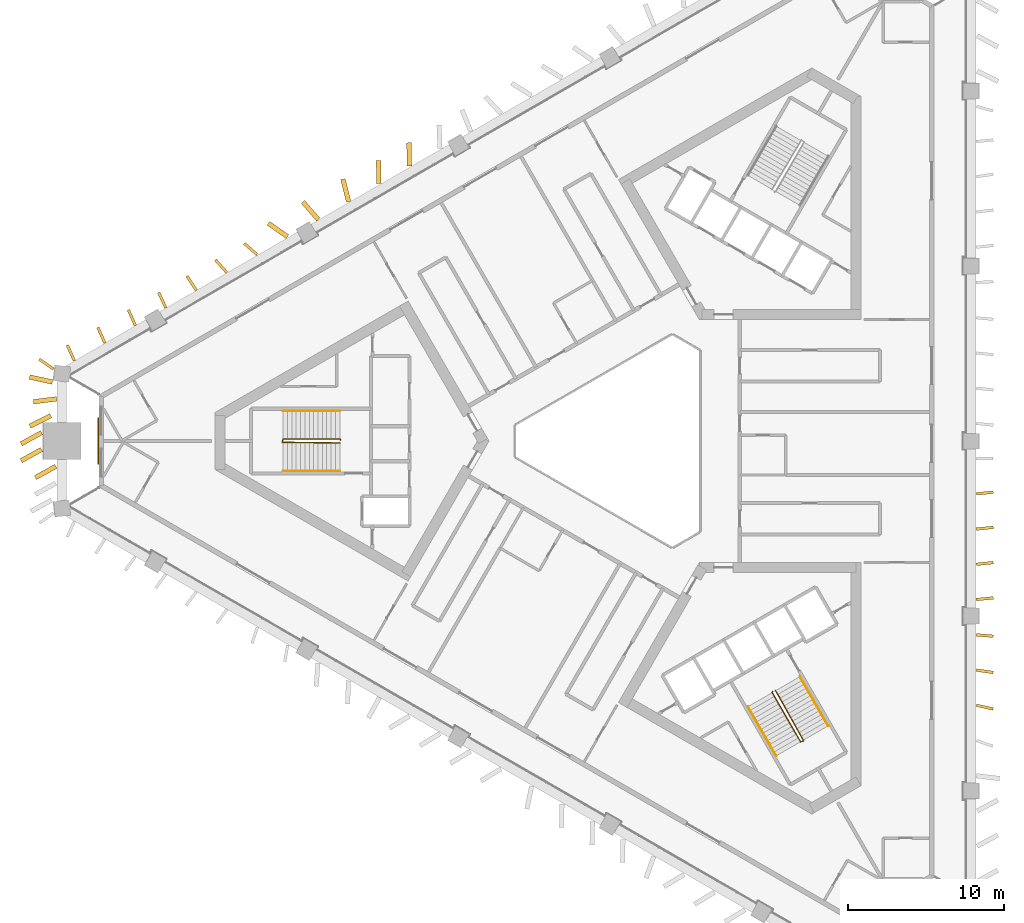
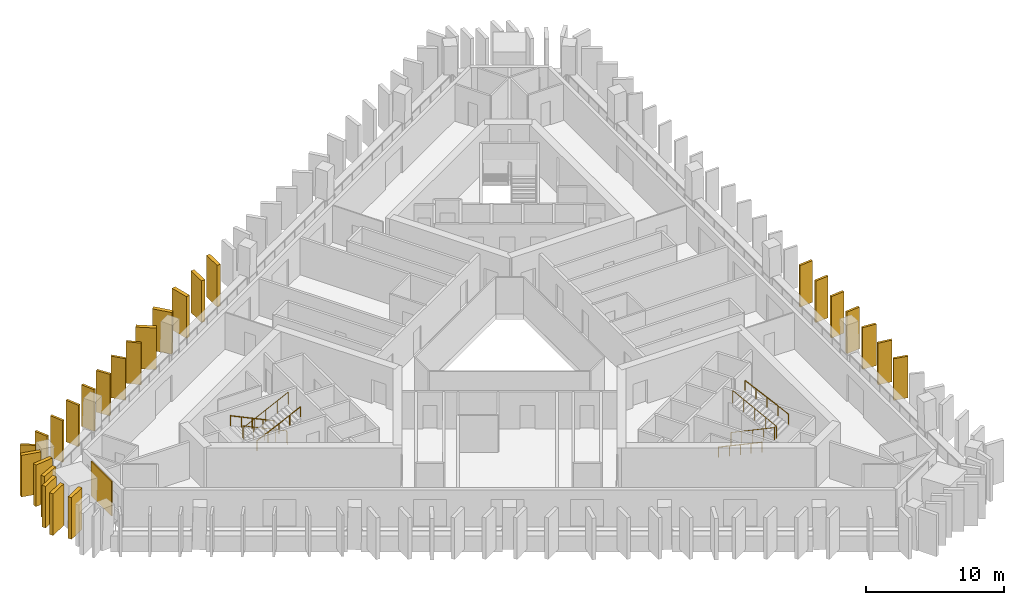
# One storey, part 9 of 11: 26 shading devices, 6 railings, 1 covering.
"""IFC4 building model written with IfcOpenShell, lengths in metres."""

import ifcopenshell
import ifcopenshell.guid

model = None  # the IFC model being written
_history = None  # IfcOwnerHistory: only IFC2X3 demands one
_inside = {}  # id of a spatial element -> (the spatial element, [elements in it])
_under = {}  # id of a project, library or spatial element -> (it, [spatial elements below it])
_declared = {}  # id of a project -> (the project, [libraries it declares])
_typed = {}  # id of a type object -> (the type object, [elements of that type])
_made_of = {}  # id of a material, layer set ... -> (it, [elements and type objects made of it])


def new_model(schema):
    """Start an empty IFC model of exactly this schema.

    Asked for "IFC4X3", IfcOpenShell would pick the latest addendum, in which some entities
    have other attributes; the version numbers below select the first issue.
    IFC2X3 requires an IfcOwnerHistory on every rooted entity: one is made here for all.
    """
    global model, _history
    if schema == "IFC4X3":
        model = ifcopenshell.file(schema_version=(4, 3, 0, 0))
    else:
        model = ifcopenshell.file(schema=schema)
    _inside.clear()
    _under.clear()
    _declared.clear()
    _typed.clear()
    _made_of.clear()
    _history = None
    if model.schema == "IFC2X3":
        org = make("IfcOrganization", Name="unknown")
        user = make(
            "IfcPersonAndOrganization",
            ThePerson=make("IfcPerson", FamilyName="unknown"),
            TheOrganization=org,
        )
        app = make(
            "IfcApplication",
            ApplicationDeveloper=org,
            Version="unknown",
            ApplicationFullName="unknown",
            ApplicationIdentifier="unknown",
        )
        _history = make(
            "IfcOwnerHistory",
            OwningUser=user,
            OwningApplication=app,
            ChangeAction="ADDED",
            CreationDate=0,
        )
    return model


def make(cls, **values):
    """One entity of the class cls with the attributes given. An attribute that is None is left unset."""
    return model.create_entity(
        cls, **{name: value for name, value in values.items() if value is not None}
    )


def rooted(cls, **values):
    """An entity with a GlobalId (a new one), such as an element, a storey or a relation."""
    return make(cls, GlobalId=ifcopenshell.guid.new(), OwnerHistory=_history, **values)


def si_unit(unit_type, name, prefix=None):
    """IfcSIUnit, for example si_unit("LENGTHUNIT", "METRE", prefix="MILLI")."""
    return make("IfcSIUnit", UnitType=unit_type, Prefix=prefix, Name=name)


def assignment(units):
    """IfcUnitAssignment: the units of a project."""
    return None if units is None else make("IfcUnitAssignment", Units=units)


def point(xyz):
    """IfcCartesianPoint."""
    return None if xyz is None else make("IfcCartesianPoint", Coordinates=xyz)


def direction(xyz):
    """IfcDirection."""
    return None if xyz is None else make("IfcDirection", DirectionRatios=xyz)


def frame(location, z_axis=None, x_axis=None):
    """IfcAxis2Placement3D, a coordinate frame: its origin and axes. An axis left out is left unset."""
    return make(
        "IfcAxis2Placement3D",
        Location=point(location),
        Axis=direction(z_axis),
        RefDirection=direction(x_axis),
    )


def frame_2d(location, x_axis=None):
    """IfcAxis2Placement2D, a coordinate frame in the plane: its origin and x axis."""
    return make(
        "IfcAxis2Placement2D", Location=point(location), RefDirection=direction(x_axis)
    )


def origin():
    """The frame at (0, 0, 0) with its axes left unset."""
    return frame((0.0, 0.0, 0.0))


def origin_2d():
    """The frame at (0, 0) in the plane with its x axis left unset."""
    return frame_2d((0.0, 0.0))


def place(relative_to, where):
    """IfcLocalPlacement: puts the frame where relative to a parent placement (None: the world)."""
    return make(
        "IfcLocalPlacement", PlacementRelTo=relative_to, RelativePlacement=where
    )


def context(
    kind, dimensions, precision=None, world=None, true_north=None, identifier=None
):
    """IfcGeometricRepresentationContext, for example the 3D "Model" context."""
    return make(
        "IfcGeometricRepresentationContext",
        ContextIdentifier=identifier,
        ContextType=kind,
        CoordinateSpaceDimension=dimensions,
        Precision=precision,
        WorldCoordinateSystem=world,
        TrueNorth=true_north,
    )


def subcontext(parent, identifier, kind, view, scale=None):
    """IfcGeometricRepresentationSubContext, for example "Body" below "Model"."""
    return make(
        "IfcGeometricRepresentationSubContext",
        ContextIdentifier=identifier,
        ContextType=kind,
        ParentContext=parent,
        TargetScale=scale,
        TargetView=view,
    )


def project(units=None, contexts=None):
    """IfcProject with its units and contexts."""
    return rooted(
        "IfcProject",
        Name="project",
        RepresentationContexts=contexts,
        UnitsInContext=assignment(units),
    )


def spatial(cls, under=None, at=None, **own):
    """A site, building, storey or space (cls), placed at a placement, below another one or the project."""
    s = rooted(cls, ObjectPlacement=at, **own)
    if under is not None:
        _under.setdefault(under.id(), (under, []))[1].append(s)
    return s


def profile(cls, at=None, kind="AREA", **sizes):
    """A parametric profile (cls). Its sizes go by their IFC names, for example OverallWidth=200.0."""
    return make(cls, ProfileType=kind, Position=at, **sizes)


def rectangle(**sizes):
    """IfcRectangleProfileDef."""
    return profile("IfcRectangleProfileDef", **sizes)


def circle(**sizes):
    """IfcCircleProfileDef."""
    return profile("IfcCircleProfileDef", **sizes)


def extrude(swept, where, along, depth):
    """IfcExtrudedAreaSolid: the profile swept, set in the frame where, extruded along a direction by depth."""
    return make(
        "IfcExtrudedAreaSolid",
        SweptArea=swept,
        Position=where,
        ExtrudedDirection=direction(along),
        Depth=depth,
    )


def shape(context_of_items, identifier, shape_type, items):
    """IfcShapeRepresentation: the items that make up one representation, for example the "Body"."""
    return make(
        "IfcShapeRepresentation",
        ContextOfItems=context_of_items,
        RepresentationIdentifier=identifier,
        RepresentationType=shape_type,
        Items=items,
    )


def material(Name=None, Category=None):
    """IfcMaterial."""
    return make("IfcMaterial", Name=Name, Category=Category)


def layer(
    of_material, thickness, ventilated=None, Name=None, Category=None, Priority=None
):
    """IfcMaterialLayer: one layer of a wall or slab, of a material (None: an air gap)."""
    return make(
        "IfcMaterialLayer",
        Material=of_material,
        LayerThickness=thickness,
        IsVentilated=ventilated,
        Name=Name,
        Category=Category,
        Priority=Priority,
    )


def layer_set(layers, Name=None):
    """IfcMaterialLayerSet."""
    return make("IfcMaterialLayerSet", MaterialLayers=layers, LayerSetName=Name)


def made_of(thing, what):
    """Note that an element or type object is made of a material, layer set ...; save() writes the relation."""
    if what is not None:
        _made_of.setdefault(what.id(), (what, []))[1].append(thing)
    return thing


def type_object(cls, material=None, **own):
    """A type object (cls), such as IfcWallType, which elements share."""
    return made_of(rooted(cls, **own), material)


def element(
    cls,
    number,
    at=None,
    inside=None,
    cuts=None,
    type_object=None,
    material=None,
    context=None,
    identifier="Body",
    shape_type=None,
    held_by="IfcProductDefinitionShape",
    body=None,
    shapes=None,
    **own,
):
    """One element of the class cls, such as IfcWall. Its Tag is "e" and its number.

    at: its placement. inside: the storey or other place that contains it. cuts: it is an
    opening in that element (IfcRelVoidsElement). A single representation is given by context,
    identifier, shape_type and body (its items); several are given by shapes. held_by: the class
    of the entity that holds the representations. save() writes the other relations.
    """
    e = rooted(cls, Tag="e%d" % number, ObjectPlacement=at, **own)
    if body is not None:
        shapes = [shape(context, identifier, shape_type, body)]
    if shapes is not None:
        e.Representation = make(held_by, Representations=shapes)
    if inside is not None:
        _inside.setdefault(inside.id(), (inside, []))[1].append(e)
    if cuts is not None:
        rooted(
            "IfcRelVoidsElement", RelatingBuildingElement=cuts, RelatedOpeningElement=e
        )
    if type_object is not None:
        _typed.setdefault(type_object.id(), (type_object, []))[1].append(e)
    return made_of(e, material)


def aggregate(whole, parts):
    """IfcRelAggregates: a whole, such as a stair, and the parts it consists of."""
    return rooted("IfcRelAggregates", RelatingObject=whole, RelatedObjects=parts)


def save(model, path):
    """Write the relations noted so far, then the file.

    IfcRelAggregates (storeys below a building ...), IfcRelContainedInSpatialStructure (elements
    in a storey), IfcRelDefinesByType, IfcRelAssociatesMaterial and IfcRelDeclares: one each for
    every whole, place, type object, material and project.
    """
    for whole, parts in _under.values():
        aggregate(whole, parts)
    for where, things in _inside.values():
        rooted(
            "IfcRelContainedInSpatialStructure",
            RelatedElements=things,
            RelatingStructure=where,
        )
    for kind, things in _typed.values():
        rooted("IfcRelDefinesByType", RelatedObjects=things, RelatingType=kind)
    for what, things in _made_of.values():
        rooted("IfcRelAssociatesMaterial", RelatedObjects=things, RelatingMaterial=what)
    for by, libraries in _declared.values():
        rooted("IfcRelDeclares", RelatingContext=by, RelatedDefinitions=libraries)
    model.write(path)


model = new_model("IFC4")

# Units and contexts
model_context = context("Model", 3, precision=1e-05, world=origin(), true_north=direction((0.0, 1.0)))
body_context = subcontext(model_context, "Body", "Model", "MODEL_VIEW")
ifc_project = project(units=[si_unit("LENGTHUNIT", "METRE"), si_unit("AREAUNIT", "SQUARE_METRE"), si_unit("VOLUMEUNIT", "CUBIC_METRE"), si_unit("PLANEANGLEUNIT", "RADIAN"), si_unit("MASSUNIT", "GRAM", prefix="KILO")], contexts=[model_context])

# Site, building, storey
site_placement = place(None, origin())
site = spatial("IfcSite", under=ifc_project, at=site_placement, CompositionType="ELEMENT")
building_placement = place(site_placement, origin())
building = spatial("IfcBuilding", under=site, at=building_placement, Name="Jabali Bay Hotel Tower and Convention Centre", CompositionType="ELEMENT")
storey_placement = place(building_placement, frame((0.0, 0.0, 132.699951171875)))
storey = spatial("IfcBuildingStorey", under=building, at=storey_placement, Name="L32", CompositionType="ELEMENT", Elevation=132.699951171875)

# Shading devices
ifc_material_1 = material(Name="Precast concrete C60", Category="concrete")
ifc_layer_1 = layer(ifc_material_1, 0.179931640625)
ifc_layer_set_1 = layer_set([ifc_layer_1], Name="Precast concrete C60")
shading_device_type_1 = type_object("IfcShadingDeviceType", Name="Precast fin 3680 x 1100", PredefinedType="USERDEFINED", material=ifc_layer_set_1)
shading_device_1_placement = place(storey_placement, frame((97.288330078125, 63.0361328125, 0.010009765625), z_axis=(0.0, 0.0, 1.0), x_axis=(0.976933312851, -0.21354461417, 0.0)))
element("IfcShadingDevice", 1, at=shading_device_1_placement, inside=storey, type_object=shading_device_type_1, Name="Fin L32 005", ObjectType="FIN", PredefinedType="USERDEFINED", context=body_context, shape_type="SweptSolid", body=[
    extrude(rectangle(XDim=1.099853515625, YDim=0.179931640625, at=frame_2d((0.5498046875, 0.0))), origin(), (0.0, 0.0, 1.0), 3.679931640625),
])
for number, where, z_axis, x_axis, name in (
    (2, (97.28173828125, 65.2978515625, 0.010009765625), (0.0, 0.0, 1.0), (0.989766699065, -0.142695064462, 0.0), "Fin L32 006"),
    (3, (97.276611328125, 67.559814453125, 0.010009765625), (0.0, 0.0, 1.0), (0.996493522368, -0.083669946087, 0.0), "Fin L32 007"),
    (4, (97.27783203125, 69.821533203125, 0.010009765625), (0.0, 0.0, 1.0), (0.995067903191, 0.099196108993, 0.0), "Fin L32 008"),
):
    element("IfcShadingDevice", number, at=place(storey_placement, frame(where, z_axis=z_axis, x_axis=x_axis)), inside=storey, type_object=shading_device_type_1, Name=name, ObjectType="FIN", PredefinedType="USERDEFINED", context=body_context, shape_type="SweptSolid", body=[
        extrude(rectangle(XDim=1.10009765625, YDim=0.179931640625, at=frame_2d((0.550048828125, 0.0))), origin(), (0.0, 0.0, 1.0), 3.679931640625),
    ])
shading_device_2_placement = place(storey_placement, frame((97.2783203125, 72.08349609375, 0.010009765625), z_axis=(0.0, 0.0, 1.0), x_axis=(0.99465883881, 0.103217219381, 0.0)))
element("IfcShadingDevice", 5, at=shading_device_2_placement, inside=storey, type_object=shading_device_type_1, Name="Fin L32 009", ObjectType="FIN", PredefinedType="USERDEFINED", context=body_context, shape_type="SweptSolid", body=[
    extrude(rectangle(XDim=1.099853515625, YDim=0.179931640625, at=frame_2d((0.5498046875, 0.0))), origin(), (0.0, 0.0, 1.0), 3.679931640625),
])
for number, where, z_axis, x_axis, name in (
    (6, (97.278076171875, 74.345458984375, 0.010009765625), (0.0, 0.0, 1.0), (0.994799325834, 0.1018543142, 0.0), "Fin L32 010"),
    (7, (97.278076171875, 76.607177734375, 0.010009765625), (0.0, 0.0, 1.0), (0.994844199735, 0.101415079027, 0.0), "Fin L32 011"),
    (8, (51.11865234375, 91.95947265625, 0.010009765625), (0.0, 0.0, 1.0), (-0.752384181679, 0.658724557883, 0.0), "Fin L32 053"),
):
    element("IfcShadingDevice", number, at=place(storey_placement, frame(where, z_axis=z_axis, x_axis=x_axis)), inside=storey, type_object=shading_device_type_1, Name=name, ObjectType="FIN", PredefinedType="USERDEFINED", context=body_context, shape_type="SweptSolid", body=[
        extrude(rectangle(XDim=1.10009765625, YDim=0.179931640625, at=frame_2d((0.550048828125, 0.0))), origin(), (0.0, 0.0, 1.0), 3.679931640625),
    ])
for number, where, z_axis, x_axis, name in (
    (9, (49.1650390625, 90.819580078125, 0.010009765625), (0.0, 0.0, 1.0), (-0.666963525344, 0.74509036758, 0.0), "Fin L32 054"),
    (10, (47.212646484375, 89.677490234375, 0.010009765625), (0.0, 0.0, 1.0), (-0.55208483048, 0.833787946635, 0.0), "Fin L32 055"),
    (11, (45.252685546875, 88.548583984375, 0.010009765625), (0.0, 0.0, 1.0), (-0.422630264446, 0.906302189986, 0.0), "Fin L32 056"),
):
    element("IfcShadingDevice", number, at=place(storey_placement, frame(where, z_axis=z_axis, x_axis=x_axis)), inside=storey, type_object=shading_device_type_1, Name=name, ObjectType="FIN", PredefinedType="USERDEFINED", context=body_context, shape_type="SweptSolid", body=[
        extrude(rectangle(XDim=1.099853515625, YDim=0.179931640625, at=frame_2d((0.5498046875, 0.0))), origin(), (0.0, 0.0, 1.0), 3.679931640625),
    ])
shading_device_3_placement = place(storey_placement, frame((43.29296875, 87.4189453125, 0.010009765625), z_axis=(0.0, 0.0, 1.0), x_axis=(-0.405273381202, 0.91419554062, 0.0)))
element("IfcShadingDevice", 12, at=shading_device_3_placement, inside=storey, type_object=shading_device_type_1, Name="Fin L32 057", ObjectType="FIN", PredefinedType="USERDEFINED", context=body_context, shape_type="SweptSolid", body=[
    extrude(rectangle(XDim=1.10009765625, YDim=0.179931640625, at=frame_2d((0.550048828125, 0.0))), origin(), (0.0, 0.0, 1.0), 3.679931640625),
])
shading_device_4_placement = place(storey_placement, frame((41.334228515625, 86.287841796875, 0.010009765625), z_axis=(0.0, 0.0, 1.0), x_axis=(-0.408176242739, 0.912903146486, 0.0)))
element("IfcShadingDevice", 13, at=shading_device_4_placement, inside=storey, type_object=shading_device_type_1, Name="Fin L32 058", ObjectType="FIN", PredefinedType="USERDEFINED", context=body_context, shape_type="SweptSolid", body=[
    extrude(rectangle(XDim=1.099853515625, YDim=0.179931640625, at=frame_2d((0.5498046875, 0.0))), origin(), (0.0, 0.0, 1.0), 3.679931640625),
])
for number, where, z_axis, x_axis, name in (
    (14, (39.37548828125, 85.15673828125, 0.010009765625), (0.0, 0.0, 1.0), (-0.409266191411, 0.912415028684, 0.0), "Fin L32 059"),
    (15, (38.036865234375, 84.624755859375, 0.010009765625), (0.0, 0.0, 1.0), (-0.825541252818, 0.564341775784, 0.0), "Fin L32 105"),
):
    element("IfcShadingDevice", number, at=place(storey_placement, frame(where, z_axis=z_axis, x_axis=x_axis)), inside=storey, type_object=shading_device_type_1, Name=name, ObjectType="FIN", PredefinedType="USERDEFINED", context=body_context, shape_type="SweptSolid", body=[
        extrude(rectangle(XDim=1.10009765625, YDim=0.179931640625, at=frame_2d((0.550048828125, 0.0))), origin(), (0.0, 0.0, 1.0), 3.679931640625),
    ])
ifc_layer_2 = layer(ifc_material_1, 0.300048828125)
ifc_layer_set_2 = layer_set([ifc_layer_2], Name="Precast concrete C60")
shading_device_type_2 = type_object("IfcShadingDeviceType", Name="Precast fin 3680 x 1500", PredefinedType="USERDEFINED", material=ifc_layer_set_2)
for number, where, z_axis, x_axis, name in (
    (16, (60.89111328125, 97.65185546875, 0.010009765625), (0.0, 0.0, 1.0), (-0.020672884927, 0.999786293079, 0.0), "Fin L32 048"),
    (17, (58.932373046875, 96.520751953125, 0.010009765625), (0.0, 0.0, 1.0), (-0.021486409401, 0.999769140457, 0.0), "Fin L32 049"),
):
    element("IfcShadingDevice", number, at=place(storey_placement, frame(where, z_axis=z_axis, x_axis=x_axis)), inside=storey, type_object=shading_device_type_2, Name=name, ObjectType="FIN", PredefinedType="USERDEFINED", context=body_context, shape_type="SweptSolid", body=[
        extrude(rectangle(XDim=1.499755859375, YDim=0.300048828125, at=frame_2d((0.75, 0.0))), origin(), (0.0, 0.0, 1.0), 3.679931640625),
    ])
for number, where, z_axis, x_axis, name in (
    (18, (56.9892578125, 95.362548828125, 0.010009765625), (0.0, 0.0, 1.0), (-0.245942684746, 0.96928437304, 0.0), "Fin L32 050"),
    (19, (55.036376953125, 94.22119140625, 0.010009765625), (0.0, 0.0, 1.0), (-0.655803857998, 0.75493132127, 0.0), "Fin L32 051"),
    (20, (53.060302734375, 93.120361328125, 0.010009765625), (0.0, 0.0, 1.0), (-0.819369538891, 0.573265696459, 0.0), "Fin L32 052"),
):
    element("IfcShadingDevice", number, at=place(storey_placement, frame(where, z_axis=z_axis, x_axis=x_axis)), inside=storey, type_object=shading_device_type_2, Name=name, ObjectType="FIN", PredefinedType="USERDEFINED", context=body_context, shape_type="SweptSolid", body=[
        extrude(rectangle(XDim=1.5, YDim=0.300048828125, at=frame_2d((0.75, 0.0))), origin(), (0.0, 0.0, 1.0), 3.679931640625),
    ])
shading_device_5_placement = place(storey_placement, frame((37.964599609375, 83.788818359375, 0.010009765625), z_axis=(0.0, 0.0, 1.0), x_axis=(-0.976644466705, 0.214861782675, 0.0)))
element("IfcShadingDevice", 21, at=shading_device_5_placement, inside=storey, type_object=shading_device_type_2, Name="Fin L32 060", ObjectType="FIN", PredefinedType="USERDEFINED", context=body_context, shape_type="SweptSolid", body=[
    extrude(rectangle(XDim=1.499755859375, YDim=0.300048828125, at=frame_2d((0.75, 0.0))), origin(), (0.0, 0.0, 1.0), 3.679931640625),
])
shading_device_6_placement = place(storey_placement, frame((38.24169921875, 82.706298828125, 0.010009765625), z_axis=(0.0, 0.0, 1.0), x_axis=(-0.992300395262, -0.12385445314, 0.0)))
element("IfcShadingDevice", 22, at=shading_device_6_placement, inside=storey, type_object=shading_device_type_2, Name="Fin L32 061", ObjectType="FIN", PredefinedType="USERDEFINED", context=body_context, shape_type="SweptSolid", body=[
    extrude(rectangle(XDim=1.5, YDim=0.300048828125, at=frame_2d((0.75, 0.0))), origin(), (0.0, 0.0, 1.0), 3.679931640625),
])
shading_device_7_placement = place(storey_placement, frame((37.8642578125, 81.623779296875, 0.010009765625), z_axis=(0.0, 0.0, 1.0), x_axis=(-0.895757972865, -0.444542072305, 0.0)))
element("IfcShadingDevice", 23, at=shading_device_7_placement, inside=storey, type_object=shading_device_type_2, Name="Fin L32 062", ObjectType="FIN", PredefinedType="USERDEFINED", context=body_context, shape_type="SweptSolid", body=[
    extrude(rectangle(XDim=1.499755859375, YDim=0.300048828125, at=frame_2d((0.75, 0.0))), origin(), (0.0, 0.0, 1.0), 3.679931640625),
])
for number, where, z_axis, x_axis, name in (
    (24, (37.275390625, 80.541259765625, 0.010009765625), (0.0, 0.0, 1.0), (-0.876016513422, -0.482281109117, 0.0), "Fin L32 063"),
    (25, (37.275390625, 79.458740234375, 0.010009765625), (0.0, 0.0, 1.0), (-0.876016513422, -0.482281109117, 0.0), "Fin L32 064"),
    (26, (38.187744140625, 78.376220703125, 0.010009765625), (0.0, 0.0, 1.0), (-0.876016513422, -0.482281109117, 0.0), "Fin L32 065"),
):
    element("IfcShadingDevice", number, at=place(storey_placement, frame(where, z_axis=z_axis, x_axis=x_axis)), inside=storey, type_object=shading_device_type_2, Name=name, ObjectType="FIN", PredefinedType="USERDEFINED", context=body_context, shape_type="SweptSolid", body=[
        extrude(rectangle(XDim=1.5, YDim=0.300048828125, at=frame_2d((0.75, 0.0))), origin(), (0.0, 0.0, 1.0), 3.679931640625),
    ])

# Covering
ifc_material_2 = material(Name="Precast concrete C40/50", Category="concrete")
ifc_layer_3 = layer(ifc_material_2, 0.080078125)
ifc_layer_set_3 = layer_set([ifc_layer_3], Name="Precast concrete C40/50")
covering_type = type_object("IfcCoveringType", Name="Relief panel 3000 x 3050", PredefinedType="CLADDING", material=ifc_layer_set_3)
covering_placement = place(storey_placement, frame((40.906982421875, 80.0, 0.10009765625), z_axis=(0.0, 0.0, 1.0), x_axis=(0.0, 1.0, 0.0)))
element("IfcCovering", 27, at=covering_placement, inside=storey, type_object=covering_type, Name="Relief panel L32", PredefinedType="CLADDING", context=body_context, shape_type="SweptSolid", body=[
    extrude(rectangle(XDim=3.0, YDim=0.080078125, at=origin_2d()), origin(), (0.0, 0.0, 1.0), 3.050048828125),
])

# Railings
ifc_material_3 = material(Name="Steel Q355B", Category="steel")
railing_type_1 = type_object("IfcRailingType", Name="Stair guard 1100", PredefinedType="GUARDRAIL", material=ifc_material_3)
railing_1_placement = place(storey_placement, frame((56.469970703125, 80.074951171875, 0.0)))
element("IfcRailing", 28, at=railing_1_placement, inside=storey, type_object=railing_type_1, Name="L32 ST1 stair guard 1", PredefinedType="GUARDRAIL", context=body_context, shape_type="SweptSolid", body=[
    extrude(circle(Radius=0.02392578125, at=origin_2d()), frame((0.0, 0.0, 1.076171875), z_axis=(-0.333993628408, 0.333993628408, 0.881417331555), x_axis=(-0.707106781187, -0.707106781187, 0.0)), (0.0, 0.0, 1.0), 0.14990234375),
    extrude(circle(Radius=0.02392578125, at=origin_2d()), frame((-0.050048828125, 0.050048828125, 1.2080078125), z_axis=(-0.904327350853, 0.0, 0.426839598092), x_axis=(0.0, -1.0, 0.0)), (0.0, 0.0, 1.0), 4.02490234375),
    extrude(circle(Radius=0.02392578125, at=origin_2d()), frame((-3.68994140625, 0.050048828125, 2.92626953125), z_axis=(-0.242814311512, -0.970072785993, 0.0), x_axis=(0.970072785993, -0.242814311512, 0.0)), (0.0, 0.0, 1.0), 0.2060546875),
    extrude(circle(Radius=0.02392578125, at=origin_2d()), frame((-3.739990234375, -0.14990234375, 2.92626953125), z_axis=(0.893887803671, -0.012124321804, 0.4481267625), x_axis=(0.013562335953, 0.999908027292, 0.0)), (0.0, 0.0, 1.0), 4.1279296875),
    extrude(circle(Radius=0.02099609375, at=origin_2d()), origin(), (0.0, 0.0, 1.0), 1.052001953125),
    extrude(circle(Radius=0.02099609375, at=origin_2d()), frame((-0.050048828125, 0.050048828125, 0.132080078125)), (0.0, 0.0, 1.0), 1.052001953125),
    extrude(circle(Radius=0.02099609375, at=origin_2d()), frame((-0.9599609375, 0.050048828125, 0.5615234375)), (0.0, 0.0, 1.0), 1.052001953125),
    extrude(circle(Radius=0.02099609375, at=origin_2d()), frame((-1.8701171875, 0.050048828125, 0.9912109375)), (0.0, 0.0, 1.0), 1.052001953125),
    extrude(circle(Radius=0.02099609375, at=origin_2d()), frame((-2.780029296875, 0.050048828125, 1.420654296875)), (0.0, 0.0, 1.0), 1.052001953125),
    extrude(circle(Radius=0.02099609375, at=origin_2d()), frame((-3.68994140625, 0.050048828125, 1.85009765625)), (0.0, 0.0, 1.0), 1.052001953125),
    extrude(circle(Radius=0.02099609375, at=origin_2d()), frame((-3.739990234375, -0.14990234375, 1.85009765625)), (0.0, 0.0, 1.0), 1.052001953125),
    extrude(circle(Radius=0.02099609375, at=origin_2d()), frame((-2.8173828125, -0.162353515625, 2.3125)), (0.0, 0.0, 1.0), 1.052001953125),
    extrude(circle(Radius=0.02099609375, at=origin_2d()), frame((-1.89501953125, -0.1748046875, 2.77490234375)), (0.0, 0.0, 1.0), 1.052001953125),
    extrude(circle(Radius=0.02099609375, at=origin_2d()), frame((-0.97265625, -0.1875, 3.237548828125)), (0.0, 0.0, 1.0), 1.052001953125),
    extrude(circle(Radius=0.02099609375, at=origin_2d()), frame((-0.050048828125, -0.199951171875, 3.699951171875)), (0.0, 0.0, 1.0), 1.052001953125),
])
railing_2_placement = place(storey_placement, frame((84.199951171875, 63.9150390625, 0.0)))
element("IfcRailing", 29, at=railing_2_placement, inside=storey, type_object=railing_type_1, Name="L32 ST3 stair guard 1", PredefinedType="GUARDRAIL", context=body_context, shape_type="SweptSolid", body=[
    extrude(circle(Radius=0.02392578125, at=origin_2d()), frame((0.0, 0.0, 1.076171875), z_axis=(-0.122196845461, -0.456201556387, 0.881446578591), x_axis=(0.965948051503, -0.258736085224, 0.0)), (0.0, 0.0, 1.0), 0.14990234375),
    extrude(circle(Radius=0.02392578125, at=origin_2d()), frame((-0.018310546875, -0.068359375, 1.2080078125), z_axis=(0.45217862506, -0.783169739339, 0.426825081763), x_axis=(0.866018046521, 0.500012742938, 0.0)), (0.0, 0.0, 1.0), 4.025146484375),
    extrude(circle(Radius=0.02392578125, at=origin_2d()), frame((1.8017578125, -3.220703125, 2.92626953125), z_axis=(0.96121063429, 0.275815366736, 0.0), x_axis=(-0.275815366736, 0.96121063429, 0.0)), (0.0, 0.0, 1.0), 0.206298828125),
    extrude(circle(Radius=0.02392578125, at=origin_2d()), frame((2.0, -3.163818359375, 2.92626953125), z_axis=(-0.436481798955, 0.780166857725, 0.448133142368), x_axis=(-0.872702246529, -0.488252792008, 0.0)), (0.0, 0.0, 1.0), 4.1279296875),
    extrude(circle(Radius=0.02099609375, at=origin_2d()), origin(), (0.0, 0.0, 1.0), 1.052001953125),
    extrude(circle(Radius=0.02099609375, at=origin_2d()), frame((-0.018310546875, -0.068359375, 0.132080078125)), (0.0, 0.0, 1.0), 1.052001953125),
    extrude(circle(Radius=0.02099609375, at=origin_2d()), frame((0.436767578125, -0.8564453125, 0.5615234375)), (0.0, 0.0, 1.0), 1.052001953125),
    extrude(circle(Radius=0.02099609375, at=origin_2d()), frame((0.8916015625, -1.64453125, 0.9912109375)), (0.0, 0.0, 1.0), 1.052001953125),
    extrude(circle(Radius=0.02099609375, at=origin_2d()), frame((1.3466796875, -2.4326171875, 1.420654296875)), (0.0, 0.0, 1.0), 1.052001953125),
    extrude(circle(Radius=0.02099609375, at=origin_2d()), frame((1.8017578125, -3.220703125, 1.85009765625)), (0.0, 0.0, 1.0), 1.052001953125),
    extrude(circle(Radius=0.02099609375, at=origin_2d()), frame((2.0, -3.163818359375, 1.85009765625)), (0.0, 0.0, 1.0), 1.052001953125),
    extrude(circle(Radius=0.02099609375, at=origin_2d()), frame((1.549560546875, -2.358642578125, 2.3125)), (0.0, 0.0, 1.0), 1.052001953125),
    extrude(circle(Radius=0.02099609375, at=origin_2d()), frame((1.09912109375, -1.5537109375, 2.77490234375)), (0.0, 0.0, 1.0), 1.052001953125),
    extrude(circle(Radius=0.02099609375, at=origin_2d()), frame((0.648681640625, -0.74853515625, 3.237548828125)), (0.0, 0.0, 1.0), 1.052001953125),
    extrude(circle(Radius=0.02099609375, at=origin_2d()), frame((0.1982421875, 0.056640625, 3.699951171875)), (0.0, 0.0, 1.0), 1.052001953125),
])
railing_type_2 = type_object("IfcRailingType", Name="Stair handrail 900", PredefinedType="HANDRAIL", material=ifc_material_3)
railing_3_placement = place(storey_placement, frame((56.419921875, 81.925048828125, 0.132080078125)))
element("IfcRailing", 30, at=railing_3_placement, inside=storey, type_object=railing_type_2, Name="L32 ST1 stair handrail 1", PredefinedType="HANDRAIL", context=body_context, shape_type="SweptSolid", body=[
    extrude(circle(Radius=0.02392578125, at=origin_2d()), frame((0.0, 0.0, 0.8759765625), z_axis=(-0.904327350853, 0.0, 0.426839598092), x_axis=(0.0, -1.0, 0.0)), (0.0, 0.0, 1.0), 4.02490234375),
    extrude(circle(Radius=0.02099609375, at=origin_2d()), origin(), (0.0, 0.0, 1.0), 0.851806640625),
    extrude(circle(Radius=0.02099609375, at=origin_2d()), frame((-0.909912109375, 0.0, 0.429443359375)), (0.0, 0.0, 1.0), 0.851806640625),
    extrude(circle(Radius=0.02099609375, at=origin_2d()), frame((-1.81982421875, 0.0, 0.85888671875)), (0.0, 0.0, 1.0), 0.851806640625),
    extrude(circle(Radius=0.02099609375, at=origin_2d()), frame((-2.72998046875, 0.0, 1.28857421875)), (0.0, 0.0, 1.0), 0.851806640625),
    extrude(circle(Radius=0.02099609375, at=origin_2d()), frame((-3.639892578125, 0.0, 1.718017578125)), (0.0, 0.0, 1.0), 0.851806640625),
])
railing_4_placement = place(storey_placement, frame((52.780029296875, 78.074951171875, 1.982177734375)))
element("IfcRailing", 31, at=railing_4_placement, inside=storey, type_object=railing_type_2, Name="L32 ST1 stair handrail 2", PredefinedType="HANDRAIL", context=body_context, shape_type="SweptSolid", body=[
    extrude(circle(Radius=0.02392578125, at=origin_2d()), frame((0.0, 0.0, 0.8759765625), z_axis=(0.904350763662, 0.0, 0.426789990819), x_axis=(0.0, 1.0, 0.0)), (0.0, 0.0, 1.0), 4.02490234375),
    extrude(circle(Radius=0.02099609375, at=origin_2d()), origin(), (0.0, 0.0, 1.0), 0.851806640625),
    extrude(circle(Radius=0.02099609375, at=origin_2d()), frame((0.909912109375, 0.0, 0.429443359375)), (0.0, 0.0, 1.0), 0.851806640625),
    extrude(circle(Radius=0.02099609375, at=origin_2d()), frame((1.81982421875, 0.0, 0.85888671875)), (0.0, 0.0, 1.0), 0.851806640625),
    extrude(circle(Radius=0.02099609375, at=origin_2d()), frame((2.72998046875, 0.0, 1.288330078125)), (0.0, 0.0, 1.0), 0.851806640625),
    extrude(circle(Radius=0.02099609375, at=origin_2d()), frame((3.639892578125, 0.0, 1.7177734375)), (0.0, 0.0, 1.0), 0.851806640625),
])
railing_5_placement = place(storey_placement, frame((82.622802734375, 62.94677734375, 0.132080078125)))
element("IfcRailing", 32, at=railing_5_placement, inside=storey, type_object=railing_type_2, Name="L32 ST3 stair handrail 1", PredefinedType="HANDRAIL", context=body_context, shape_type="SweptSolid", body=[
    extrude(circle(Radius=0.02392578125, at=origin_2d()), frame((0.0, 0.0, 0.8759765625), z_axis=(0.45217862506, -0.783169739339, 0.426825081763), x_axis=(0.866018046521, 0.500012742938, 0.0)), (0.0, 0.0, 1.0), 4.025146484375),
    extrude(circle(Radius=0.02099609375, at=origin_2d()), origin(), (0.0, 0.0, 1.0), 0.851806640625),
    extrude(circle(Radius=0.02099609375, at=origin_2d()), frame((0.455078125, -0.7880859375, 0.429443359375)), (0.0, 0.0, 1.0), 0.851806640625),
    extrude(circle(Radius=0.02099609375, at=origin_2d()), frame((0.91015625, -1.576171875, 0.85888671875)), (0.0, 0.0, 1.0), 0.851806640625),
    extrude(circle(Radius=0.02099609375, at=origin_2d()), frame((1.364990234375, -2.3642578125, 1.28857421875)), (0.0, 0.0, 1.0), 0.851806640625),
    extrude(circle(Radius=0.02099609375, at=origin_2d()), frame((1.820068359375, -3.15234375, 1.718017578125)), (0.0, 0.0, 1.0), 0.851806640625),
])
railing_6_placement = place(storey_placement, frame((87.777099609375, 61.719482421875, 1.982177734375)))
element("IfcRailing", 33, at=railing_6_placement, inside=storey, type_object=railing_type_2, Name="L32 ST3 stair handrail 2", PredefinedType="HANDRAIL", context=body_context, shape_type="SweptSolid", body=[
    extrude(circle(Radius=0.02392578125, at=origin_2d()), frame((0.0, 0.0, 0.8759765625), z_axis=(-0.452190331055, 0.783190014029, 0.426775475427), x_axis=(-0.866018046521, -0.500012742938, 0.0)), (0.0, 0.0, 1.0), 4.02490234375),
    extrude(circle(Radius=0.02099609375, at=origin_2d()), origin(), (0.0, 0.0, 1.0), 0.851806640625),
    extrude(circle(Radius=0.02099609375, at=origin_2d()), frame((-0.455078125, 0.7880859375, 0.429443359375)), (0.0, 0.0, 1.0), 0.851806640625),
    extrude(circle(Radius=0.02099609375, at=origin_2d()), frame((-0.91015625, 1.576171875, 0.85888671875)), (0.0, 0.0, 1.0), 0.851806640625),
    extrude(circle(Radius=0.02099609375, at=origin_2d()), frame((-1.364990234375, 2.3642578125, 1.288330078125)), (0.0, 0.0, 1.0), 0.851806640625),
    extrude(circle(Radius=0.02099609375, at=origin_2d()), frame((-1.820068359375, 3.15234375, 1.7177734375)), (0.0, 0.0, 1.0), 0.851806640625),
])

save(model, "model.ifc")
